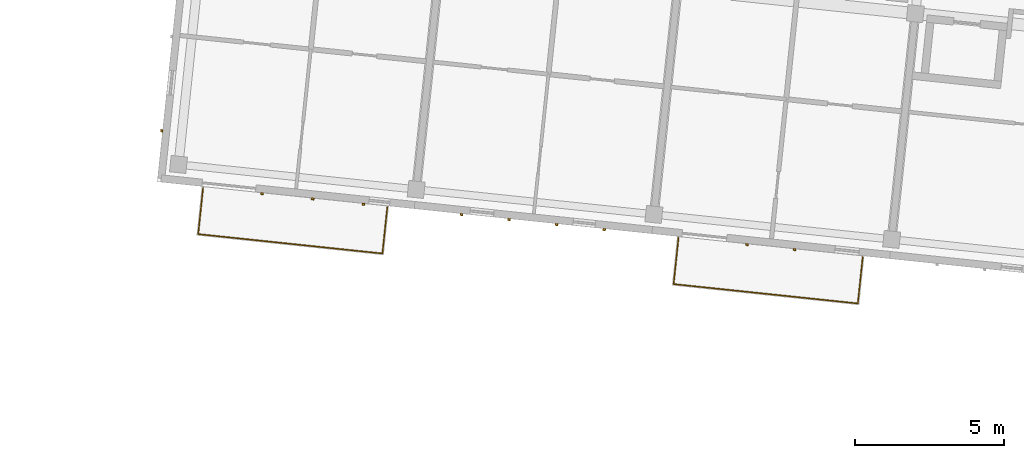
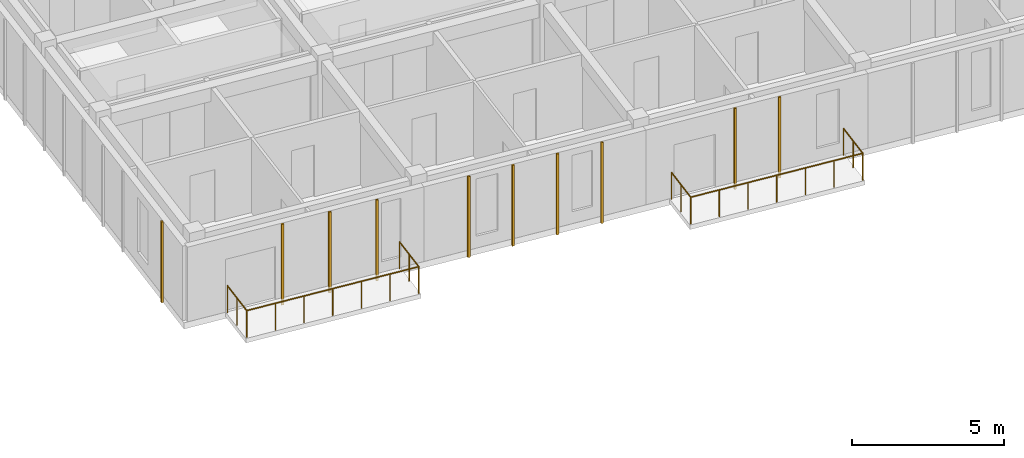
# One storey, part 55 of 65: 10 coverings, 2 railings.
"""IFC4 building model written with IfcOpenShell, lengths in metres."""

from ifc_helpers import new_model, si_unit, direction, frame, origin, origin_2d, place, context, subcontext, project, spatial, rectangle, circle, extrude, material, layer, layer_set, type_object, element, save


model = new_model("IFC4")

# Units and contexts
model_context = context("Model", 3, precision=1e-05, world=origin(), true_north=direction((0.0, 1.0)))
body_context = subcontext(model_context, "Body", "Model", "MODEL_VIEW")
ifc_project = project(units=[si_unit("LENGTHUNIT", "METRE"), si_unit("AREAUNIT", "SQUARE_METRE"), si_unit("VOLUMEUNIT", "CUBIC_METRE"), si_unit("PLANEANGLEUNIT", "RADIAN"), si_unit("MASSUNIT", "GRAM", prefix="KILO")], contexts=[model_context])

# Site, building, storey
site_placement = place(None, origin())
site = spatial("IfcSite", under=ifc_project, at=site_placement, CompositionType="ELEMENT")
building_placement = place(site_placement, origin())
building = spatial("IfcBuilding", under=site, at=building_placement, Name="Kestramere Prow Commons", CompositionType="ELEMENT")
storey_placement = place(building_placement, frame((0.0, 0.0, 21.39990234375)))
storey = spatial("IfcBuildingStorey", under=building, at=storey_placement, Name="L06", CompositionType="ELEMENT", Elevation=21.39990234375)

# Coverings
ifc_material_1 = material(Name="Weathered Zinc-Titanium Standing-Seam Cladding")
ifc_layer = layer(ifc_material_1, 0.074951171875)
ifc_layer_set = layer_set([ifc_layer], Name="Weathered Zinc-Titanium Standing-Seam Cladding")
covering_type = type_object("IfcCoveringType", Name="COV-CLAD-SEAM", PredefinedType="CLADDING", material=ifc_layer_set)
for number, where, z_axis, x_axis, name in (
    (1, (116.189697265625, 93.46826171875, -0.25), (0.0, 0.0, 1.0), (-0.994521895368, 0.104528463268, 0.0), "EW-B-L06-S-0 Standing-Seam Rib 1"),
    (2, (114.494140625, 93.646484375, -0.25), (0.0, 0.0, 1.0), (-0.994521895368, 0.104528463268, 0.0), "EW-B-L06-S-0 Standing-Seam Rib 2"),
    (3, (112.79833984375, 93.82470703125, -0.25), (0.0, 0.0, 1.0), (-0.994521895368, 0.104528463268, 0.0), "EW-B-L06-S-0 Standing-Seam Rib 3"),
    (4, (124.250244140625, 92.62109375, -0.25), (0.0, 0.0, 1.0), (-0.994521895368, 0.104528463268, 0.0), "EW-B-L06-S-1 Standing-Seam Rib 1"),
    (5, (122.6591796875, 92.788330078125, -0.25), (0.0, 0.0, 1.0), (-0.994521895368, 0.104528463268, 0.0), "EW-B-L06-S-1 Standing-Seam Rib 2"),
    (6, (121.06787109375, 92.95556640625, -0.25), (0.0, 0.0, 1.0), (-0.994521895368, 0.104528463268, 0.0), "EW-B-L06-S-1 Standing-Seam Rib 3"),
    (7, (119.4765625, 93.122802734375, -0.25), (0.0, 0.0, 1.0), (-0.994521895368, 0.104528463268, 0.0), "EW-B-L06-S-1 Standing-Seam Rib 4"),
    (8, (130.615234375, 91.951904296875, -0.25), (0.0, 0.0, 1.0), (-0.994521895368, 0.104528463268, 0.0), "EW-B-L06-S-2 Standing-Seam Rib 2"),
    (9, (129.02392578125, 92.119384765625, -0.25), (0.0, 0.0, 1.0), (-0.994521895368, 0.104528463268, 0.0), "EW-B-L06-S-2 Standing-Seam Rib 3"),
    (10, (109.437255859375, 95.928466796875, -0.25), (0.0, 0.0, 1.0), (0.104528463268, 0.994521895368, 0.0), "EW-B-L06-EAV Standing-Seam Rib 1"),
):
    element("IfcCovering", number, at=place(storey_placement, frame(where, z_axis=z_axis, x_axis=x_axis)), inside=storey, type_object=covering_type, Name=name, PredefinedType="CLADDING", context=body_context, shape_type="SweptSolid", body=[
        extrude(rectangle(XDim=0.0849609375, YDim=0.06494140625, at=origin_2d()), origin(), (0.0, 0.0, 1.0), 3.25),
    ])

# Railings
ifc_material_2 = material(Name="Powder-Coated Aluminium 6063-T6", Category="aluminium")
railing_type = type_object("IfcRailingType", Name="GRD-BALC-1100", PredefinedType="BALUSTRADE", material=ifc_material_2)
railing_1_placement = place(storey_placement, frame((110.822998046875, 94.019775390625, 0.0)))
element("IfcRailing", 11, at=railing_1_placement, inside=storey, type_object=railing_type, Name="Block B L06 Balcony Guardrail 1", PredefinedType="BALUSTRADE", context=body_context, shape_type="SweptSolid", body=[
    extrude(circle(Radius=0.02392578125, at=origin_2d()), frame((0.0, 0.0, 1.076171875), z_axis=(-0.104538150424, -0.994520877159, 0.0), x_axis=(0.994520877159, -0.104538150424, 0.0)), (0.0, 0.0, 1.0), 1.56005859375),
    extrude(circle(Radius=0.02392578125, at=origin_2d()), frame((-0.1630859375, -1.551513671875, 1.076171875), z_axis=(0.994519899862, -0.104547447503, 0.0), x_axis=(0.104547447503, 0.994519899862, 0.0)), (0.0, 0.0, 1.0), 6.199951171875),
    extrude(circle(Radius=0.02392578125, at=origin_2d()), frame((6.0029296875, -2.19970703125, 1.076171875), z_axis=(0.104538150424, 0.994520877159, 0.0), x_axis=(-0.994520877159, 0.104538150424, 0.0)), (0.0, 0.0, 1.0), 1.56005859375),
    extrude(circle(Radius=0.02099609375, at=origin_2d()), origin(), (0.0, 0.0, 1.0), 1.052001953125),
    extrude(circle(Radius=0.02099609375, at=origin_2d()), frame((-0.08154296875, -0.77587890625, 0.0)), (0.0, 0.0, 1.0), 1.052001953125),
    extrude(circle(Radius=0.02099609375, at=origin_2d()), frame((-0.1630859375, -1.551513671875, 0.0)), (0.0, 0.0, 1.0), 1.052001953125),
    extrude(circle(Radius=0.02099609375, at=origin_2d()), frame((0.864501953125, -1.65966796875, 0.0)), (0.0, 0.0, 1.0), 1.052001953125),
    extrude(circle(Radius=0.02099609375, at=origin_2d()), frame((1.892333984375, -1.767578125, 0.0)), (0.0, 0.0, 1.0), 1.052001953125),
    extrude(circle(Radius=0.02099609375, at=origin_2d()), frame((2.919921875, -1.87548828125, 0.0)), (0.0, 0.0, 1.0), 1.052001953125),
    extrude(circle(Radius=0.02099609375, at=origin_2d()), frame((3.947509765625, -1.983642578125, 0.0)), (0.0, 0.0, 1.0), 1.052001953125),
    extrude(circle(Radius=0.02099609375, at=origin_2d()), frame((4.975341796875, -2.091796875, 0.0)), (0.0, 0.0, 1.0), 1.052001953125),
    extrude(circle(Radius=0.02099609375, at=origin_2d()), frame((6.0029296875, -2.19970703125, 0.0)), (0.0, 0.0, 1.0), 1.052001953125),
    extrude(circle(Radius=0.02099609375, at=origin_2d()), frame((6.08447265625, -1.423828125, 0.0)), (0.0, 0.0, 1.0), 1.052001953125),
    extrude(circle(Radius=0.02099609375, at=origin_2d()), frame((6.166015625, -0.648193359375, 0.0)), (0.0, 0.0, 1.0), 1.052001953125),
])
railing_2_placement = place(storey_placement, frame((126.7353515625, 92.34716796875, 0.0)))
element("IfcRailing", 12, at=railing_2_placement, inside=storey, type_object=railing_type, Name="Block B L06 Balcony Guardrail 3", PredefinedType="BALUSTRADE", context=body_context, shape_type="SweptSolid", body=[
    extrude(circle(Radius=0.02392578125, at=origin_2d()), frame((0.0, 0.0, 1.076171875), z_axis=(-0.104554422924, -0.994519166556, 0.0), x_axis=(0.994519166556, -0.104554422924, 0.0)), (0.0, 0.0, 1.0), 1.559814453125),
    extrude(circle(Radius=0.02392578125, at=origin_2d()), frame((-0.1630859375, -1.55126953125, 1.076171875), z_axis=(0.994519899862, -0.104547447503, 0.0), x_axis=(0.104547447503, 0.994519899862, 0.0)), (0.0, 0.0, 1.0), 6.199951171875),
    extrude(circle(Radius=0.02392578125, at=origin_2d()), frame((6.0029296875, -2.199462890625, 1.076171875), z_axis=(0.104538150424, 0.994520877159, 0.0), x_axis=(-0.994520877159, 0.104538150424, 0.0)), (0.0, 0.0, 1.0), 1.56005859375),
    extrude(circle(Radius=0.02099609375, at=origin_2d()), origin(), (0.0, 0.0, 1.0), 1.052001953125),
    extrude(circle(Radius=0.02099609375, at=origin_2d()), frame((-0.08154296875, -0.775634765625, 0.0)), (0.0, 0.0, 1.0), 1.052001953125),
    extrude(circle(Radius=0.02099609375, at=origin_2d()), frame((-0.1630859375, -1.55126953125, 0.0)), (0.0, 0.0, 1.0), 1.052001953125),
    extrude(circle(Radius=0.02099609375, at=origin_2d()), frame((0.864501953125, -1.6591796875, 0.0)), (0.0, 0.0, 1.0), 1.052001953125),
    extrude(circle(Radius=0.02099609375, at=origin_2d()), frame((1.892333984375, -1.767333984375, 0.0)), (0.0, 0.0, 1.0), 1.052001953125),
    extrude(circle(Radius=0.02099609375, at=origin_2d()), frame((2.919921875, -1.87548828125, 0.0)), (0.0, 0.0, 1.0), 1.052001953125),
    extrude(circle(Radius=0.02099609375, at=origin_2d()), frame((3.947509765625, -1.9833984375, 0.0)), (0.0, 0.0, 1.0), 1.052001953125),
    extrude(circle(Radius=0.02099609375, at=origin_2d()), frame((4.975341796875, -2.09130859375, 0.0)), (0.0, 0.0, 1.0), 1.052001953125),
    extrude(circle(Radius=0.02099609375, at=origin_2d()), frame((6.0029296875, -2.199462890625, 0.0)), (0.0, 0.0, 1.0), 1.052001953125),
    extrude(circle(Radius=0.02099609375, at=origin_2d()), frame((6.08447265625, -1.423828125, 0.0)), (0.0, 0.0, 1.0), 1.052001953125),
    extrude(circle(Radius=0.02099609375, at=origin_2d()), frame((6.166015625, -0.64794921875, 0.0)), (0.0, 0.0, 1.0), 1.052001953125),
])

save(model, "model.ifc")
